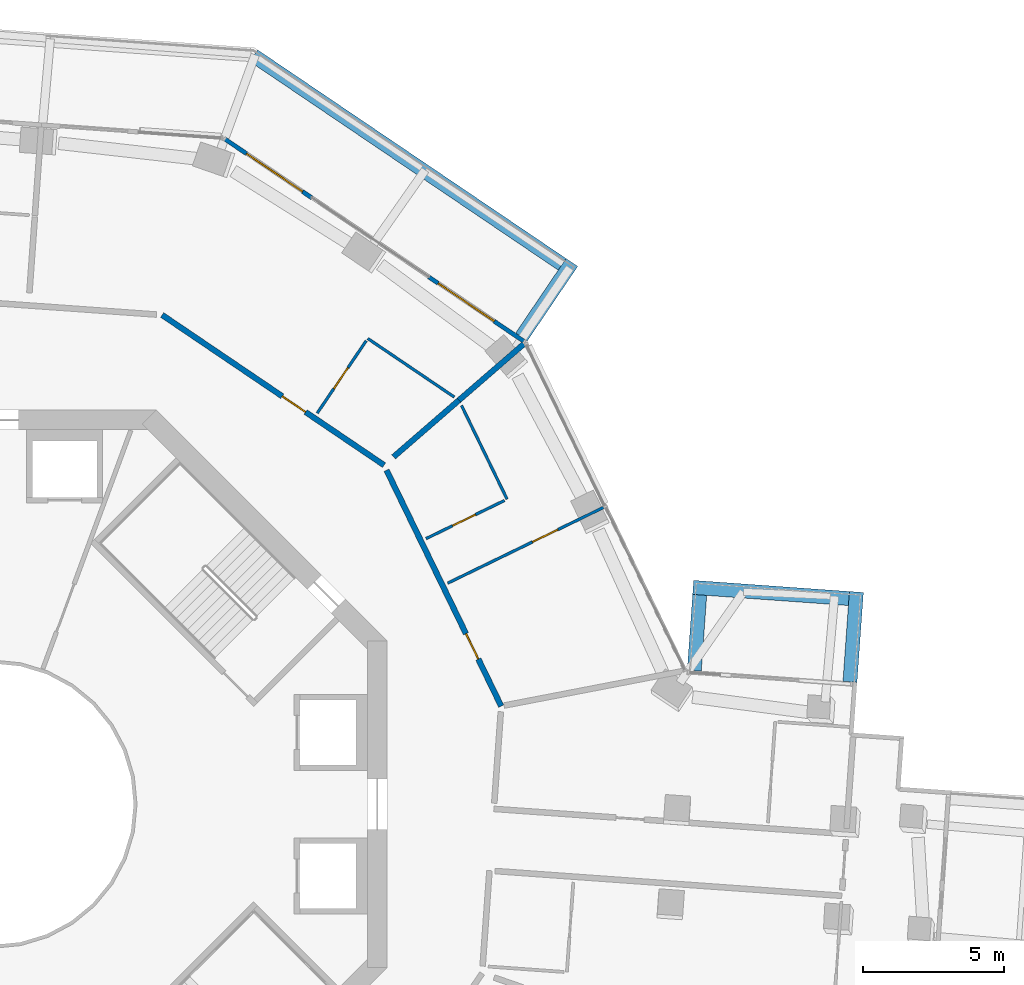
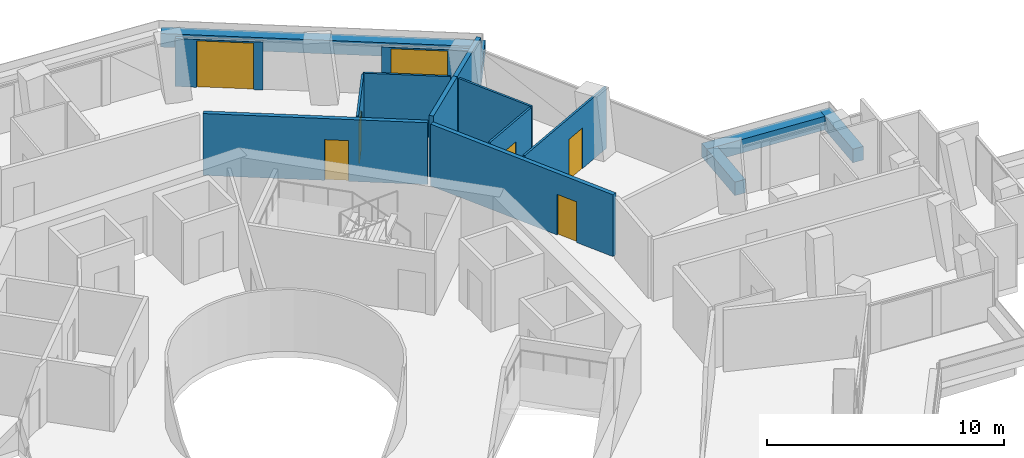
# One storey, part 19 of 22: 16 walls, 7 doors, 7 openings.
"""IFC4 building model written with IfcOpenShell, lengths in metres."""

from ifc_helpers import new_model, si_unit, direction, frame, frame_2d, origin, place, context, subcontext, project, spatial, rectangle, extrude, material, layer, layer_set, type_object, element, fill, save


model = new_model("IFC4")

# Units and contexts
model_context = context("Model", 3, precision=1e-05, world=origin(), true_north=direction((0.0, 1.0)))
body_context = subcontext(model_context, "Body", "Model", "MODEL_VIEW")
ifc_project = project(units=[si_unit("LENGTHUNIT", "METRE"), si_unit("AREAUNIT", "SQUARE_METRE"), si_unit("VOLUMEUNIT", "CUBIC_METRE"), si_unit("PLANEANGLEUNIT", "RADIAN"), si_unit("MASSUNIT", "GRAM", prefix="KILO")], contexts=[model_context])

# Site, building, storey
site_placement = place(None, origin())
site = spatial("IfcSite", under=ifc_project, at=site_placement, CompositionType="ELEMENT")
building_placement = place(site_placement, origin())
building = spatial("IfcBuilding", under=site, at=building_placement, Name="Verdalira Terraces Hotel", CompositionType="ELEMENT")
storey_placement = place(building_placement, frame((0.0, 0.0, 140.0)))
storey = spatial("IfcBuildingStorey", under=building, at=storey_placement, Name="L33", CompositionType="ELEMENT", Elevation=140.0)

# Walls
ifc_material_1 = material(Name="Concrete C40", Category="concrete")
ifc_layer_1 = layer(ifc_material_1, 0.5)
ifc_layer_set_1 = layer_set([ifc_layer_1], Name="Balcony planter trough with tree")
wall_type_1 = type_object("IfcWallType", Name="Balcony planter trough with tree", PredefinedType="SOLIDWALL", material=ifc_layer_set_1)
wall_1_placement = place(storey_placement, frame((30.440186, 4.346191, 0.0), z_axis=(0.0, 0.0, 1.0), x_axis=(0.071127731, 0.997467215, 0.0)))
element("IfcWall", 1, at=wall_1_placement, inside=storey, type_object=wall_type_1, Name="Balcony planter", PredefinedType="SOLIDWALL", context=body_context, shape_type="SweptSolid", body=[
    extrude(rectangle(XDim=3.198975, YDim=0.5, at=frame_2d((1.599609, 0.0))), origin(), (0.0, 0.0, 1.0), 0.699951),
])
wall_2_placement = place(storey_placement, frame((30.400635, 7.30542, 0.0), z_axis=(0.0, 0.0, 1.0), x_axis=(-0.997462944, 0.071187606, 0.0)))
element("IfcWall", 2, at=wall_2_placement, inside=storey, type_object=wall_type_1, Name="Balcony planter", PredefinedType="SOLIDWALL", context=body_context, shape_type="SweptSolid", body=[
    extrude(rectangle(XDim=5.545654, YDim=0.5, at=frame_2d((2.772949, 0.0))), origin(), (0.0, 0.0, 1.0), 0.699951),
])
wall_3_placement = place(storey_placement, frame((25.10083, 7.432861, 0.0), z_axis=(0.0, 0.0, 1.0), x_axis=(-0.071189194, -0.997462831, 0.0)))
element("IfcWall", 3, at=wall_3_placement, inside=storey, type_object=wall_type_1, Name="Balcony planter", PredefinedType="SOLIDWALL", context=body_context, shape_type="SweptSolid", body=[
    extrude(rectangle(XDim=2.698975, YDim=0.5, at=frame_2d((1.349609, 0.0))), origin(), (0.0, 0.0, 1.0), 0.699951),
])
wall_4_placement = place(storey_placement, frame((18.770264, 16.59082, 0.0), z_axis=(0.0, 0.0, 1.0), x_axis=(0.560411001, 0.828214652, 0.0)))
element("IfcWall", 4, at=wall_4_placement, inside=storey, type_object=wall_type_1, Name="Balcony planter", PredefinedType="SOLIDWALL", context=body_context, shape_type="SweptSolid", body=[
    extrude(rectangle(XDim=3.198975, YDim=0.5, at=frame_2d((1.599609, 0.0))), origin(), (0.0, 0.0, 1.0), 0.699951),
])
wall_5_placement = place(storey_placement, frame((20.21582, 19.17334, 0.0), z_axis=(0.0, 0.0, 1.0), x_axis=(-0.828258967, 0.560345504, 0.0)))
element("IfcWall", 5, at=wall_5_placement, inside=storey, type_object=wall_type_1, Name="Balcony planter", PredefinedType="SOLIDWALL", context=body_context, shape_type="SweptSolid", body=[
    extrude(rectangle(XDim=13.223389, YDim=0.5, at=frame_2d((6.611816, 0.0))), origin(), (0.0, 0.0, 1.0), 0.699951),
])

# Wall, opening, door
ifc_material_2 = material(Name="Moisture-resistant gypsum board partition")
ifc_layer_2 = layer(ifc_material_2, 0.10009765625)
ifc_layer_set_2 = layer_set([ifc_layer_2], Name="Bathroom partition 100 mm")
wall_type_2 = type_object("IfcWallType", Name="Bathroom partition 100 mm", PredefinedType="PARTITIONING", material=ifc_layer_set_2)
wall_6_placement = place(storey_placement, frame((13.256348, 16.456299, 0.0), z_axis=(0.0, 0.0, 1.0), x_axis=(-0.560376113, -0.828238258, 0.0)))
wall_6 = element("IfcWall", 6, at=wall_6_placement, inside=storey, type_object=wall_type_2, Name="Bathroom partition", PredefinedType="PARTITIONING", context=body_context, shape_type="SweptSolid", body=[
    extrude(rectangle(XDim=3.099854, YDim=0.100098, at=frame_2d((1.549805, 0.0))), origin(), (0.0, 0.0, 1.0), 3.189941),
])
opening_1_placement = place(wall_6_placement, frame((1.149902, 0.0, 0.0)))
opening_1 = element("IfcOpeningElement", 7, at=opening_1_placement, cuts=wall_6, Name="Opening L33-130", PredefinedType="OPENING", context=body_context, shape_type="SweptSolid", body=[
    extrude(rectangle(XDim=0.899902, YDim=2.100098, at=frame_2d((0.449951, 1.050049))), frame((0.0, 0.060059, 0.0), z_axis=(0.0, -1.0, 0.0), x_axis=(1.0, 0.0, 0.0)), (0.0, 0.0, 1.0), 0.120117),
])
ifc_material_3 = material(Name="Timber door", Category="wood")
door_type_1 = type_object("IfcDoorType", Name="Bathroom door 900 x 2100", OperationType="NOTDEFINED", PredefinedType="DOOR", material=ifc_material_3)
door_1_placement = place(opening_1_placement, origin())
door_1 = element("IfcDoor", 8, at=door_1_placement, inside=storey, type_object=door_type_1, Name="Bathroom door 3311", OperationType="SINGLE_SWING_LEFT", OverallHeight=2.10009765625, OverallWidth=0.89990234375, PredefinedType="DOOR", context=body_context, shape_type="SweptSolid", body=[
    extrude(rectangle(XDim=0.899902, YDim=2.100098, at=frame_2d((0.449951, 1.050049))), frame((0.0, 0.024902, 0.0), z_axis=(0.0, -1.0, 0.0), x_axis=(1.0, 0.0, 0.0)), (0.0, 0.0, 1.0), 0.050049),
])
fill(opening_1, door_1)

# Wall
wall_7_placement = place(storey_placement, frame((13.3125, 16.539307, 0.0), z_axis=(0.0, 0.0, 1.0), x_axis=(0.828225037, -0.560395652, 0.0)))
element("IfcWall", 9, at=wall_7_placement, inside=storey, type_object=wall_type_2, Name="Bathroom partition", PredefinedType="PARTITIONING", context=body_context, shape_type="SweptSolid", body=[
    extrude(rectangle(XDim=3.710938, YDim=0.100098, at=frame_2d((1.855469, 0.0))), origin(), (0.0, 0.0, 1.0), 3.189941),
])

# Wall, opening, door
wall_8_placement = place(storey_placement, frame((15.383301, 9.431396, 0.0), z_axis=(0.0, 0.0, 1.0), x_axis=(0.89941086, 0.437104227, 0.0)))
wall_8 = element("IfcWall", 10, at=wall_8_placement, inside=storey, type_object=wall_type_2, Name="Bathroom partition", PredefinedType="PARTITIONING", context=body_context, shape_type="SweptSolid", body=[
    extrude(rectangle(XDim=3.099854, YDim=0.100098, at=frame_2d((1.549805, 0.0))), origin(), (0.0, 0.0, 1.0), 3.189941),
])
opening_2_placement = place(wall_8_placement, frame((1.050049, 0.0, 0.0)))
opening_2 = element("IfcOpeningElement", 11, at=opening_2_placement, cuts=wall_8, Name="Opening L33-128", PredefinedType="OPENING", context=body_context, shape_type="SweptSolid", body=[
    extrude(rectangle(XDim=0.899902, YDim=2.100098, at=frame_2d((0.449951, 1.050049))), frame((0.0, 0.060059, 0.0), z_axis=(0.0, -1.0, 0.0), x_axis=(1.0, 0.0, 0.0)), (0.0, 0.0, 1.0), 0.120117),
])
door_2_placement = place(opening_2_placement, origin())
door_2 = element("IfcDoor", 12, at=door_2_placement, inside=storey, type_object=door_type_1, Name="Bathroom door 3310", OperationType="SINGLE_SWING_RIGHT", OverallHeight=2.10009765625, OverallWidth=0.89990234375, PredefinedType="DOOR", context=body_context, shape_type="SweptSolid", body=[
    extrude(rectangle(XDim=0.899902, YDim=2.100098, at=frame_2d((0.449951, 1.050049))), frame((0.0, 0.024902, 0.0), z_axis=(0.0, -1.0, 0.0), x_axis=(1.0, 0.0, 0.0)), (0.0, 0.0, 1.0), 0.050049),
])
fill(opening_2, door_2)

# Wall
wall_9_placement = place(storey_placement, frame((18.26123, 10.830078, 0.0), z_axis=(0.0, 0.0, 1.0), x_axis=(-0.437060899, 0.899431915, 0.0)))
element("IfcWall", 13, at=wall_9_placement, inside=storey, type_object=wall_type_2, Name="Bathroom partition", PredefinedType="PARTITIONING", context=body_context, shape_type="SweptSolid", body=[
    extrude(rectangle(XDim=3.704102, YDim=0.100098, at=frame_2d((1.852051, 0.0))), origin(), (0.0, 0.0, 1.0), 3.189941),
])

# Wall, opening, door
wall_10_placement = place(storey_placement, frame((16.151855, 7.849854, 0.0), z_axis=(0.0, 0.0, 1.0), x_axis=(0.899404273, 0.437117781, 0.0)))
wall_10 = element("IfcWall", 14, at=wall_10_placement, inside=storey, type_object=wall_type_2, Name="Bathroom partition", PredefinedType="PARTITIONING", context=body_context, shape_type="SweptSolid", body=[
    extrude(rectangle(XDim=6.149902, YDim=0.100098, at=frame_2d((3.074951, 0.0))), origin(), (0.0, 0.0, 1.0), 3.189941),
])
opening_3_placement = place(wall_10_placement, frame((3.350098, 0.0, 0.0)))
opening_3 = element("IfcOpeningElement", 15, at=opening_3_placement, cuts=wall_10, Name="Opening L33-127", PredefinedType="OPENING", context=body_context, shape_type="SweptSolid", body=[
    extrude(rectangle(XDim=1.0, YDim=2.100098, at=frame_2d((0.5, 1.050049))), frame((0.0, 0.060059, 0.0), z_axis=(0.0, -1.0, 0.0), x_axis=(1.0, 0.0, 0.0)), (0.0, 0.0, 1.0), 0.120117),
])
ifc_material_4 = material(Name="Timber door", Category="wood")
door_type_2 = type_object("IfcDoorType", Name="Suite internal door 1000 x 2100", OperationType="NOTDEFINED", PredefinedType="DOOR", material=ifc_material_4)
door_3_placement = place(opening_3_placement, origin())
door_3 = element("IfcDoor", 16, at=door_3_placement, inside=storey, type_object=door_type_2, Name="Suite internal door 3310", OperationType="SINGLE_SWING_LEFT", OverallHeight=2.10009765625, OverallWidth=1.0, PredefinedType="DOOR", context=body_context, shape_type="SweptSolid", body=[
    extrude(rectangle(XDim=1.0, YDim=2.100098, at=frame_2d((0.5, 1.050049))), frame((0.0, 0.024902, 0.0), z_axis=(0.0, -1.0, 0.0), x_axis=(1.0, 0.0, 0.0)), (0.0, 0.0, 1.0), 0.050049),
])
fill(opening_3, door_3)

# Walls
ifc_material_5 = material(Name="Fire-rated gypsum board wall")
ifc_layer_3 = layer(ifc_material_5, 0.199951171875)
ifc_layer_set_3 = layer_set([ifc_layer_3], Name="Demising wall 200 mm")
wall_type_3 = type_object("IfcWallType", Name="Demising wall 200 mm", PredefinedType="SOLIDWALL", material=ifc_layer_set_3)
wall_11_placement = place(storey_placement, frame((14.22998, 12.334961, 0.0), z_axis=(0.0, 0.0, 1.0), x_axis=(0.75561043, 0.655021281, 0.0)))
element("IfcWall", 17, at=wall_11_placement, inside=storey, type_object=wall_type_3, Name="Demising wall", PredefinedType="SOLIDWALL", context=body_context, shape_type="SweptSolid", body=[
    extrude(rectangle(XDim=3.072754, YDim=0.199951, at=frame_2d((1.536377, 0.0))), origin(), (0.0, 0.0, 1.0), 3.189941),
])
wall_12_placement = place(storey_placement, frame((16.551758, 14.347656, 0.0), z_axis=(0.0, 0.0, 1.0), x_axis=(0.75562852, 0.655000411, 0.0)))
element("IfcWall", 18, at=wall_12_placement, inside=storey, type_object=wall_type_3, Name="Demising wall", PredefinedType="SOLIDWALL", context=body_context, shape_type="SweptSolid", body=[
    extrude(rectangle(XDim=3.059326, YDim=0.199951, at=frame_2d((1.529785, 0.0))), origin(), (0.0, 0.0, 1.0), 3.189941),
])

# Wall, opening, door
ifc_material_6 = material(Name="Fire-rated gypsum board wall")
ifc_layer_4 = layer(ifc_material_6, 0.199951171875)
ifc_layer_set_4 = layer_set([ifc_layer_4], Name="Guest corridor wall 200 mm")
wall_type_4 = type_object("IfcWallType", Name="Guest corridor wall 200 mm", PredefinedType="SOLIDWALL", material=ifc_layer_set_4)
wall_13_placement = place(storey_placement, frame((6.010254, 17.374512, 0.0), z_axis=(0.0, 0.0, 1.0), x_axis=(0.828249794, -0.560359063, 0.0)))
wall_13 = element("IfcWall", 19, at=wall_13_placement, inside=storey, type_object=wall_type_4, Name="Guest corridor wall", PredefinedType="SOLIDWALL", context=body_context, shape_type="SweptSolid", body=[
    extrude(rectangle(XDim=9.516357, YDim=0.199951, at=frame_2d((4.758301, 0.0))), origin(), (0.0, 0.0, 1.0), 3.189941),
])
opening_4_placement = place(wall_13_placement, frame((5.149902, 0.0, 0.0)))
opening_4 = element("IfcOpeningElement", 20, at=opening_4_placement, cuts=wall_13, Name="Opening L33-129", PredefinedType="OPENING", context=body_context, shape_type="SweptSolid", body=[
    extrude(rectangle(XDim=1.0, YDim=2.100098, at=frame_2d((0.5, 1.050049))), frame((0.0, 0.109863, 0.0), z_axis=(0.0, -1.0, 0.0), x_axis=(1.0, 0.0, 0.0)), (0.0, 0.0, 1.0), 0.219971),
])
ifc_material_7 = material(Name="Timber fire door", Category="wood")
door_type_3 = type_object("IfcDoorType", Name="Guest entry door 1000 x 2100", OperationType="NOTDEFINED", PredefinedType="DOOR", material=ifc_material_7)
door_4_placement = place(opening_4_placement, origin())
door_4 = element("IfcDoor", 21, at=door_4_placement, inside=storey, type_object=door_type_3, Name="Guest entry door 3311", OperationType="SINGLE_SWING_LEFT", OverallHeight=2.10009765625, OverallWidth=1.0, PredefinedType="DOOR", context=body_context, shape_type="SweptSolid", body=[
    extrude(rectangle(XDim=1.0, YDim=2.100098, at=frame_2d((0.5, 1.050049))), frame((0.0, 0.024902, 0.0), z_axis=(0.0, -1.0, 0.0), x_axis=(1.0, 0.0, 0.0)), (0.0, 0.0, 1.0), 0.050049),
])
fill(opening_4, door_4)

wall_14_placement = place(storey_placement, frame((13.979492, 11.862305, 0.0), z_axis=(0.0, 0.0, 1.0), x_axis=(0.437122641, -0.899401911, 0.0)))
wall_14 = element("IfcWall", 22, at=wall_14_placement, inside=storey, type_object=wall_type_4, Name="Guest corridor wall", PredefinedType="SOLIDWALL", context=body_context, shape_type="SweptSolid", body=[
    extrude(rectangle(XDim=9.31665, YDim=0.199951, at=frame_2d((4.658203, 0.0))), origin(), (0.0, 0.0, 1.0), 3.189941),
])
opening_5_placement = place(wall_14_placement, frame((6.458252, 0.0, 0.0)))
opening_5 = element("IfcOpeningElement", 23, at=opening_5_placement, cuts=wall_14, Name="Opening L33-126", PredefinedType="OPENING", context=body_context, shape_type="SweptSolid", body=[
    extrude(rectangle(XDim=1.0, YDim=2.100098, at=frame_2d((0.5, 1.050049))), frame((0.0, 0.109863, 0.0), z_axis=(0.0, -1.0, 0.0), x_axis=(1.0, 0.0, 0.0)), (0.0, 0.0, 1.0), 0.219971),
])
door_5_placement = place(opening_5_placement, origin())
door_5 = element("IfcDoor", 24, at=door_5_placement, inside=storey, type_object=door_type_3, Name="Guest entry door 3310", OperationType="SINGLE_SWING_LEFT", OverallHeight=2.10009765625, OverallWidth=1.0, PredefinedType="DOOR", context=body_context, shape_type="SweptSolid", body=[
    extrude(rectangle(XDim=1.0, YDim=2.100098, at=frame_2d((0.5, 1.050049))), frame((0.0, 0.024902, 0.0), z_axis=(0.0, -1.0, 0.0), x_axis=(1.0, 0.0, 0.0)), (0.0, 0.0, 1.0), 0.050049),
])
fill(opening_5, door_5)

ifc_material_8 = material(Name="Terracotta cladding", Category="masonry")
ifc_layer_5 = layer(ifc_material_8, 0.14990234375)
ifc_layer_set_5 = layer_set([ifc_layer_5], Name="Terracotta door pier 150")
wall_type_5 = type_object("IfcWallType", Name="Terracotta door pier 150", PredefinedType="SOLIDWALL", material=ifc_layer_set_5)
wall_15_placement = place(storey_placement, frame((18.851807, 16.443848, 0.0), z_axis=(0.0, 0.0, 1.0), x_axis=(-0.828263751, 0.560338433, 0.0)))
wall_15 = element("IfcWall", 25, at=wall_15_placement, inside=storey, type_object=wall_type_5, Name="Terracotta door pier", PredefinedType="SOLIDWALL", context=body_context, shape_type="SweptSolid", body=[
    extrude(rectangle(XDim=4.067627, YDim=0.149902, at=frame_2d((2.033691, 0.0))), origin(), (0.0, 0.0, 1.0), 2.475098),
])
opening_6_placement = place(wall_15_placement, frame((1.267822, 0.0, 0.0)))
opening_6 = element("IfcOpeningElement", 26, at=opening_6_placement, cuts=wall_15, Name="Opening L33-B11", PredefinedType="OPENING", context=body_context, shape_type="SweptSolid", body=[
    extrude(rectangle(XDim=2.399902, YDim=2.399902, at=frame_2d((1.199951, 1.199951))), frame((0.0, 0.084961, 0.0), z_axis=(0.0, -1.0, 0.0), x_axis=(1.0, 0.0, 0.0)), (0.0, 0.0, 1.0), 0.169922),
])
ifc_material_9 = material(Name="Clear glass", Category="glass")
door_type_4 = type_object("IfcDoorType", Name="Balcony sliding door 2400x2400", OperationType="NOTDEFINED", PredefinedType="DOOR", material=ifc_material_9)
door_6_placement = place(opening_6_placement, origin())
door_6 = element("IfcDoor", 27, at=door_6_placement, inside=storey, type_object=door_type_4, Name="Balcony sliding door", OperationType="SLIDING_TO_LEFT", OverallHeight=2.39990234375, OverallWidth=2.39990234375, PredefinedType="DOOR", context=body_context, shape_type="SweptSolid", body=[
    extrude(rectangle(XDim=2.399902, YDim=2.399902, at=frame_2d((1.199951, 1.199951))), frame((0.0, 0.024902, 0.0), z_axis=(0.0, -1.0, 0.0), x_axis=(1.0, 0.0, 0.0)), (0.0, 0.0, 1.0), 0.050049),
])
fill(opening_6, door_6)

wall_16_placement = place(storey_placement, frame((11.323486, 21.537109, 0.0), z_axis=(0.0, 0.0, 1.0), x_axis=(-0.828244789, 0.56036646, 0.0)))
wall_16 = element("IfcWall", 28, at=wall_16_placement, inside=storey, type_object=wall_type_5, Name="Terracotta door pier", PredefinedType="SOLIDWALL", context=body_context, shape_type="SweptSolid", body=[
    extrude(rectangle(XDim=3.710205, YDim=0.149902, at=frame_2d((1.85498, 0.0))), origin(), (0.0, 0.0, 1.0), 2.475098),
])
opening_7_placement = place(wall_16_placement, frame((0.399902, 0.0, 0.0)))
opening_7 = element("IfcOpeningElement", 29, at=opening_7_placement, cuts=wall_16, Name="Opening L33-B12", PredefinedType="OPENING", context=body_context, shape_type="SweptSolid", body=[
    extrude(rectangle(XDim=2.399902, YDim=2.399902, at=frame_2d((1.199951, 1.199951))), frame((0.0, 0.084961, 0.0), z_axis=(0.0, -1.0, 0.0), x_axis=(1.0, 0.0, 0.0)), (0.0, 0.0, 1.0), 0.169922),
])
door_7_placement = place(opening_7_placement, origin())
door_7 = element("IfcDoor", 30, at=door_7_placement, inside=storey, type_object=door_type_4, Name="Balcony sliding door", OperationType="SLIDING_TO_RIGHT", OverallHeight=2.39990234375, OverallWidth=2.39990234375, PredefinedType="DOOR", context=body_context, shape_type="SweptSolid", body=[
    extrude(rectangle(XDim=2.399902, YDim=2.399902, at=frame_2d((1.199951, 1.199951))), frame((0.0, 0.024902, 0.0), z_axis=(0.0, -1.0, 0.0), x_axis=(1.0, 0.0, 0.0)), (0.0, 0.0, 1.0), 0.050049),
])
fill(opening_7, door_7)

save(model, "model.ifc")
